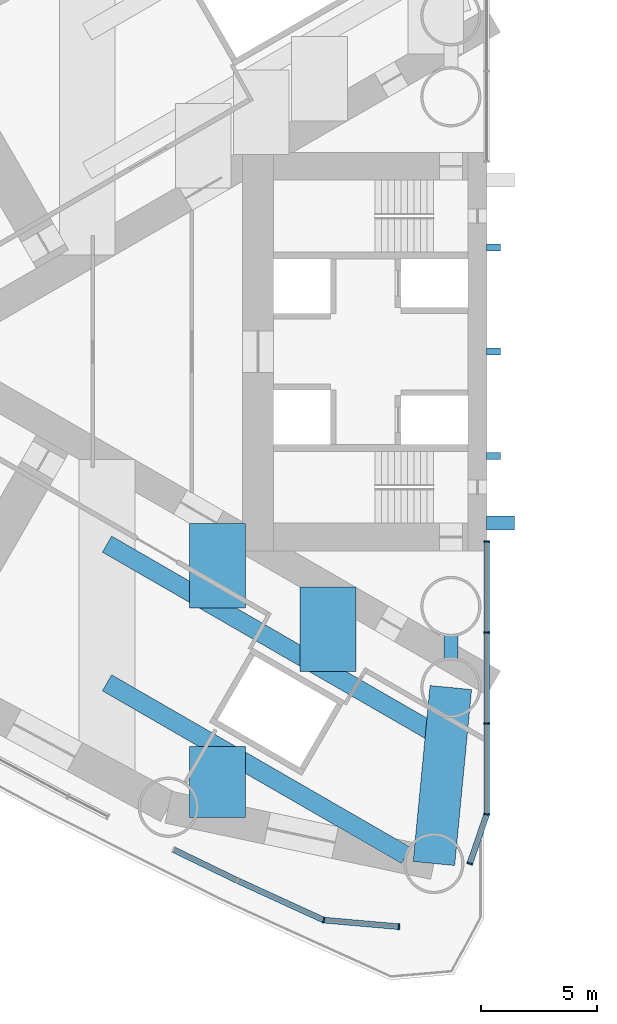
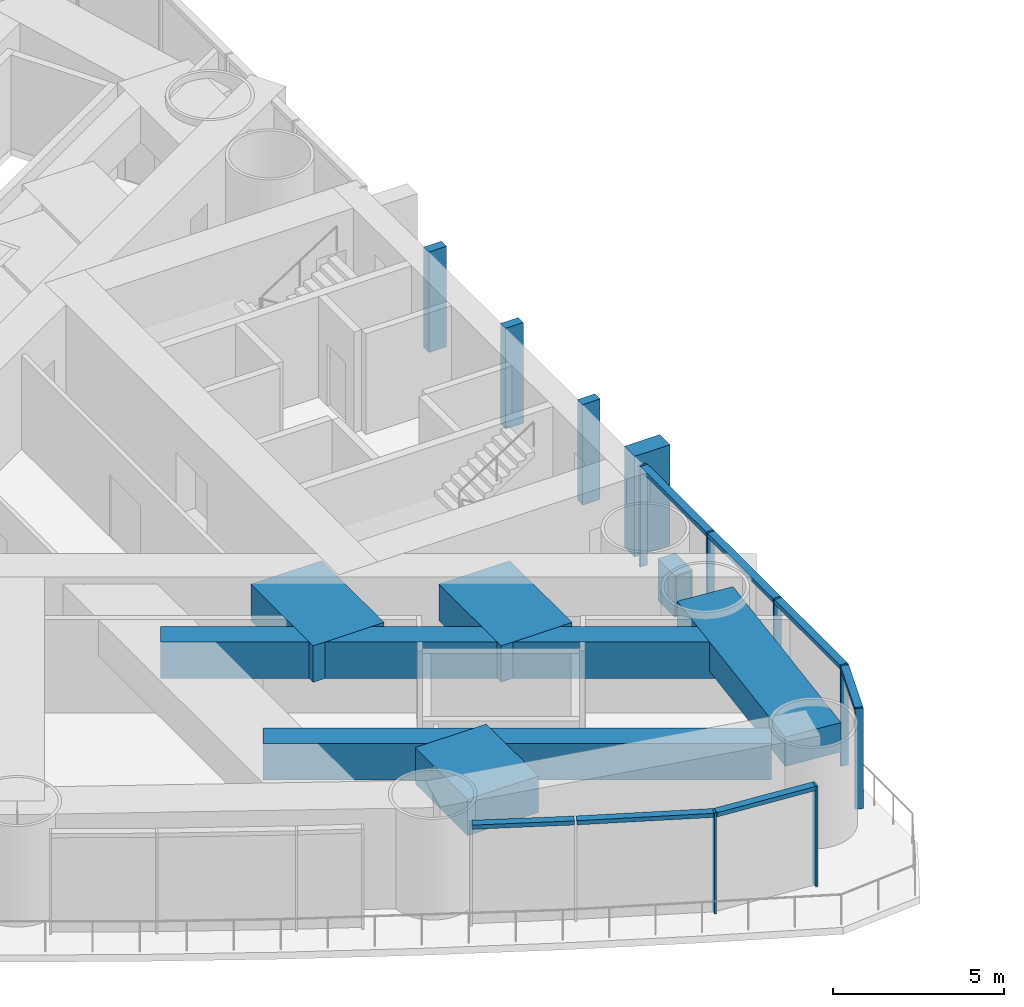
# One storey, part 3 of 19: 18 members, 7 beams, 2 elements without a shape of their own.
"""IFC4 building model written with IfcOpenShell, lengths in metres."""

from ifc_helpers import new_model, si_unit, direction, frame, origin, origin_2d, place, context, subcontext, project, spatial, rectangle, hollow_rectangle, extrude, material, material_profile, profile_set, type_object, element, aggregate, save


model = new_model("IFC4")

# Units and contexts
model_context = context("Model", 3, precision=1e-05, world=origin(), true_north=direction((0.0, 1.0)))
body_context = subcontext(model_context, "Body", "Model", "MODEL_VIEW")
ifc_project = project(units=[si_unit("LENGTHUNIT", "METRE"), si_unit("AREAUNIT", "SQUARE_METRE"), si_unit("VOLUMEUNIT", "CUBIC_METRE"), si_unit("PLANEANGLEUNIT", "RADIAN"), si_unit("MASSUNIT", "GRAM", prefix="KILO")], contexts=[model_context])

# Site, building, storey
site_placement = place(None, origin())
site = spatial("IfcSite", under=ifc_project, at=site_placement, CompositionType="ELEMENT")
building_placement = place(site_placement, origin())
building = spatial("IfcBuilding", under=site, at=building_placement, Name="Lancet Gate Hotel", CompositionType="ELEMENT")
storey_placement = place(building_placement, frame((0.0, 0.0, 87.0)))
storey = spatial("IfcBuildingStorey", under=building, at=storey_placement, Name="L22", CompositionType="ELEMENT", Elevation=87.0)

# Curtain wall, members
ifc_material_1 = material(Name="Aluminium curtain wall", Category="aluminium")
curtain_wall_type = type_object("IfcCurtainWallType", Name="Tower unitised curtain wall", PredefinedType="USERDEFINED", material=ifc_material_1)
curtain_wall_1_placement = place(storey_placement, origin())
curtain_wall_1 = element("IfcCurtainWall", 1, at=curtain_wall_1_placement, inside=storey, type_object=curtain_wall_type, Name="T1 L22 curtain wall 9", ObjectType="UNITISED CURTAIN WALL", PredefinedType="USERDEFINED")
ifc_material_2 = material(Name="Aluminium mullion", Category="aluminium")
ifc_material_profile_1 = material_profile(ifc_material_2, rectangle(XDim=0.06494140625, YDim=0.25, at=origin_2d()), Name="MULLION 65x250")
ifc_profile_set_1 = profile_set([ifc_material_profile_1], Name="Aluminium mullion")
member_type_1 = type_object("IfcMemberType", Name="Aluminium mullion 65x250", PredefinedType="MULLION", material=ifc_profile_set_1)
member_1_placement = place(storey_placement, frame((-34.5322265625, -24.53955078125, 0.0), z_axis=(0.0, 0.0, 1.0), x_axis=(0.961653318232, -0.27426792655, 0.0)))
member_1 = element("IfcMember", 2, at=member_1_placement, type_object=member_type_1, Name="T1 L22 curtain wall 9 mullion 3", PredefinedType="MULLION", context=body_context, shape_type="SweptSolid", body=[
    extrude(rectangle(XDim=0.06494140625, YDim=0.25, at=origin_2d()), origin(), (0.0, 0.0, 1.0), 3.60009765625),
])
member_2_placement = place(storey_placement, frame((-31.289306640625, -24.822265625, 0.0), z_axis=(0.0, 0.0, 1.0), x_axis=(0.996218779711, -0.086880049207, 0.0)))
member_2 = element("IfcMember", 3, at=member_2_placement, type_object=member_type_1, Name="T1 L22 curtain wall 9 mullion 4", PredefinedType="MULLION", context=body_context, shape_type="SweptSolid", body=[
    extrude(rectangle(XDim=0.06494140625, YDim=0.25, at=origin_2d()), origin(), (0.0, 0.0, 1.0), 3.60009765625),
])

curtain_wall_2_placement = place(storey_placement, origin())
curtain_wall_2 = element("IfcCurtainWall", 4, at=curtain_wall_2_placement, inside=storey, type_object=curtain_wall_type, Name="T1 L22 curtain wall 10", ObjectType="UNITISED CURTAIN WALL", PredefinedType="USERDEFINED")
member_3_placement = place(storey_placement, frame((-28.232177734375, -22.097900390625, 0.0), z_axis=(0.0, 0.0, 1.0), x_axis=(0.325515820766, 0.945536593914, 0.0)))
member_3 = element("IfcMember", 5, at=member_3_placement, type_object=member_type_1, Name="T1 L22 curtain wall 10 mullion 1", PredefinedType="MULLION", context=body_context, shape_type="SweptSolid", body=[
    extrude(rectangle(XDim=0.06494140625, YDim=0.25, at=origin_2d()), origin(), (0.0, 0.0, 1.0), 3.60009765625),
])
member_4_placement = place(storey_placement, frame((-27.5, -19.97119140625, 0.0), z_axis=(0.0, 0.0, 1.0), x_axis=(0.120134873065, 0.992757579812, 0.0)))
member_4 = element("IfcMember", 6, at=member_4_placement, type_object=member_type_1, Name="T1 L22 curtain wall 10 mullion 2", PredefinedType="MULLION", context=body_context, shape_type="SweptSolid", body=[
    extrude(rectangle(XDim=0.06494140625, YDim=0.25, at=origin_2d()), origin(), (0.0, 0.0, 1.0), 3.60009765625),
])
member_5_placement = place(storey_placement, frame((-27.5, -16.04736328125, 0.0), z_axis=(0.0, 0.0, 1.0), x_axis=(0.0, 1.0, 0.0)))
member_5 = element("IfcMember", 7, at=member_5_placement, type_object=member_type_1, Name="T1 L22 curtain wall 10 mullion 3", PredefinedType="MULLION", context=body_context, shape_type="SweptSolid", body=[
    extrude(rectangle(XDim=0.06494140625, YDim=0.25, at=origin_2d()), origin(), (0.0, 0.0, 1.0), 3.60009765625),
])
member_6_placement = place(storey_placement, frame((-27.5, -12.123779296875, 0.0), z_axis=(0.0, 0.0, 1.0), x_axis=(0.0, 1.0, 0.0)))
member_6 = element("IfcMember", 8, at=member_6_placement, type_object=member_type_1, Name="T1 L22 curtain wall 10 mullion 4", PredefinedType="MULLION", context=body_context, shape_type="SweptSolid", body=[
    extrude(rectangle(XDim=0.06494140625, YDim=0.25, at=origin_2d()), origin(), (0.0, 0.0, 1.0), 3.60009765625),
])
member_7_placement = place(storey_placement, frame((-27.5, -8.199951171875, 0.0), z_axis=(0.0, 0.0, 1.0), x_axis=(0.0, 1.0, 0.0)))
member_7 = element("IfcMember", 9, at=member_7_placement, type_object=member_type_1, Name="T1 L22 curtain wall 10 mullion 5", PredefinedType="MULLION", context=body_context, shape_type="SweptSolid", body=[
    extrude(rectangle(XDim=0.06494140625, YDim=0.25, at=origin_2d()), origin(), (0.0, 0.0, 1.0), 3.60009765625),
])

# Member
ifc_material_3 = material(Name="Aluminium transom", Category="aluminium")
ifc_material_profile_2 = material_profile(ifc_material_3, rectangle(XDim=0.25, YDim=0.14990234375, at=origin_2d()), Name="TRANSOM 250x150")
ifc_profile_set_2 = profile_set([ifc_material_profile_2], Name="Aluminium transom")
member_type_2 = type_object("IfcMemberType", Name="Aluminium transom 250x150", PredefinedType="USERDEFINED", material=ifc_profile_set_2)
member_8_placement = place(storey_placement, frame((-40.9833984375, -21.514404296875, 3.52490234375), z_axis=(0.900080025118, -0.435724624486, 0.0), x_axis=(0.435724624486, 0.900080025118, 0.0)))
member_8 = element("IfcMember", 10, at=member_8_placement, type_object=member_type_2, Name="T1 L22 curtain wall 9 transom 1", ObjectType="TRANSOM", PredefinedType="USERDEFINED", context=body_context, shape_type="SweptSolid", body=[
    extrude(rectangle(XDim=0.25, YDim=0.14990234375, at=origin_2d()), origin(), (0.0, 0.0, 1.0), 3.00146484375),
])

member_9_placement = place(storey_placement, frame((-38.222900390625, -22.849853515625, 3.52490234375), z_axis=(0.909252284196, -0.416245460857, 0.0), x_axis=(0.416245460857, 0.909252284196, 0.0)))
member_9 = element("IfcMember", 11, at=member_9_placement, type_object=member_type_2, Name="T1 L22 curtain wall 9 transom 2", ObjectType="TRANSOM", PredefinedType="USERDEFINED", context=body_context, shape_type="SweptSolid", body=[
    extrude(rectangle(XDim=0.25, YDim=0.14990234375, at=origin_2d()), origin(), (0.0, 0.0, 1.0), 4.026611328125),
])

member_10_placement = place(storey_placement, frame((-34.499755859375, -24.542236328125, 3.52490234375), z_axis=(0.996213545522, -0.086940046686, 0.0), x_axis=(0.086940046686, 0.996213545522, 0.0)))
member_10 = element("IfcMember", 12, at=member_10_placement, type_object=member_type_2, Name="T1 L22 curtain wall 9 transom 3", ObjectType="TRANSOM", PredefinedType="USERDEFINED", context=body_context, shape_type="SweptSolid", body=[
    extrude(rectangle(XDim=0.25, YDim=0.14990234375, at=origin_2d()), origin(), (0.0, 0.0, 1.0), 3.18994140625),
])

aggregate(curtain_wall_1, [member_1, member_2, member_8, member_9, member_10])

member_11_placement = place(storey_placement, frame((-28.2216796875, -22.067138671875, 3.52490234375), z_axis=(0.325566994576, 0.945518974978, 0.0), x_axis=(-0.945518974978, 0.325566994576, 0.0)))
member_11 = element("IfcMember", 13, at=member_11_placement, type_object=member_type_2, Name="T1 L22 curtain wall 10 transom 1", ObjectType="TRANSOM", PredefinedType="USERDEFINED", context=body_context, shape_type="SweptSolid", body=[
    extrude(rectangle(XDim=0.25, YDim=0.14990234375, at=origin_2d()), origin(), (0.0, 0.0, 1.0), 2.184326171875),
])

member_12_placement = place(storey_placement, frame((-27.5, -19.9384765625, 3.52490234375), z_axis=(0.0, 1.0, 0.0), x_axis=(-1.0, 0.0, 0.0)))
member_12 = element("IfcMember", 14, at=member_12_placement, type_object=member_type_2, Name="T1 L22 curtain wall 10 transom 2", ObjectType="TRANSOM", PredefinedType="USERDEFINED", context=body_context, shape_type="SweptSolid", body=[
    extrude(rectangle(XDim=0.25, YDim=0.14990234375, at=origin_2d()), origin(), (0.0, 0.0, 1.0), 3.858642578125),
])

member_13_placement = place(storey_placement, frame((-27.5, -16.014892578125, 3.52490234375), z_axis=(0.0, 1.0, 0.0), x_axis=(-1.0, 0.0, 0.0)))
member_13 = element("IfcMember", 15, at=member_13_placement, type_object=member_type_2, Name="T1 L22 curtain wall 10 transom 3", ObjectType="TRANSOM", PredefinedType="USERDEFINED", context=body_context, shape_type="SweptSolid", body=[
    extrude(rectangle(XDim=0.25, YDim=0.14990234375, at=origin_2d()), origin(), (0.0, 0.0, 1.0), 3.858642578125),
])

member_14_placement = place(storey_placement, frame((-27.5, -12.09130859375, 3.52490234375), z_axis=(0.0, 1.0, 0.0), x_axis=(-1.0, 0.0, 0.0)))
member_14 = element("IfcMember", 16, at=member_14_placement, type_object=member_type_2, Name="T1 L22 curtain wall 10 transom 4", ObjectType="TRANSOM", PredefinedType="USERDEFINED", context=body_context, shape_type="SweptSolid", body=[
    extrude(rectangle(XDim=0.25, YDim=0.14990234375, at=origin_2d()), origin(), (0.0, 0.0, 1.0), 3.85888671875),
])

aggregate(curtain_wall_2, [member_3, member_4, member_5, member_6, member_7, member_11, member_12, member_13, member_14])

# Beam
ifc_material_4 = material(Name="Concrete C50/60", Category="concrete")
ifc_material_profile_3 = material_profile(ifc_material_4, rectangle(XDim=1.800048828125, YDim=1.050048828125, at=origin_2d()), Name="RC 1800x1050")
ifc_profile_set_3 = profile_set([ifc_material_profile_3], Name="Concrete C50/60")
beam_type_1 = type_object("IfcBeamType", Name="Edge beam RC 1800x1050", PredefinedType="SPANDREL", material=ifc_profile_set_3)
beam_1_placement = place(storey_placement, frame((-29.050048828125, -14.5, 2.824951171875), z_axis=(-0.095802643786, -0.995400348324, 0.0), x_axis=(0.995400348324, -0.095802643786, 0.0)))
element("IfcBeam", 17, at=beam_1_placement, inside=storey, type_object=beam_type_1, Name="T1 edge beam EB1 L22", PredefinedType="SPANDREL", context=body_context, shape_type="SweptSolid", body=[
    extrude(rectangle(XDim=1.800048828125, YDim=1.050048828125, at=origin_2d()), origin(), (0.0, 0.0, 1.0), 7.6298828125),
])

# Members
ifc_material_5 = material(Name="Concrete C60/75", Category="concrete")
ifc_material_profile_4 = material_profile(ifc_material_5, rectangle(XDim=0.60009765625, YDim=1.199951171875, at=origin_2d()), Name="FIN 600x1200")
ifc_profile_set_4 = profile_set([ifc_material_profile_4], Name="Concrete C60/75")
member_type_3 = type_object("IfcMemberType", Name="Exposed concrete buttress pilaster 600x1200", PredefinedType="USERDEFINED", material=ifc_profile_set_4)
member_15_placement = place(storey_placement, frame((-26.909912109375, -7.39990234375, 0.0), z_axis=(0.0, 0.0, 1.0), x_axis=(0.0, 1.0, 0.0)))
element("IfcMember", 18, at=member_15_placement, inside=storey, type_object=member_type_3, Name="T1 buttress pilaster N L22", ObjectType="FIN", PredefinedType="USERDEFINED", context=body_context, shape_type="SweptSolid", body=[
    extrude(rectangle(XDim=0.60009765625, YDim=1.199951171875, at=origin_2d()), origin(), (0.0, 0.0, 1.0), 3.60009765625),
])
ifc_material_6 = material(Name="Concrete C60/75", Category="concrete")
ifc_material_profile_5 = material_profile(ifc_material_6, rectangle(XDim=0.300048828125, YDim=0.60009765625, at=origin_2d()), Name="FIN 300x600")
ifc_profile_set_5 = profile_set([ifc_material_profile_5], Name="Concrete C60/75")
member_type_4 = type_object("IfcMemberType", Name="Exposed concrete rib 300x600", PredefinedType="USERDEFINED", material=ifc_profile_set_5)
for number, where, z_axis, x_axis, name in (
    (19, (-27.2099609375, 4.5, 0.0), (0.0, 0.0, 1.0), (0.0, 1.0, 0.0), "T1 core rib 1 L22"),
    (20, (-27.2099609375, 0.0, 0.0), (0.0, 0.0, 1.0), (0.0, 1.0, 0.0), "T1 core rib 2 L22"),
    (21, (-27.2099609375, -4.5, 0.0), (0.0, 0.0, 1.0), (0.0, 1.0, 0.0), "T1 core rib 3 L22"),
):
    element("IfcMember", number, at=place(storey_placement, frame(where, z_axis=z_axis, x_axis=x_axis)), inside=storey, type_object=member_type_4, Name=name, ObjectType="FIN", PredefinedType="USERDEFINED", context=body_context, shape_type="SweptSolid", body=[
        extrude(rectangle(XDim=0.300048828125, YDim=0.60009765625, at=origin_2d()), origin(), (0.0, 0.0, 1.0), 3.60009765625),
    ])

# Beams
ifc_material_7 = material(Name="Concrete C50/60", Category="concrete")
ifc_material_profile_6 = material_profile(ifc_material_7, rectangle(XDim=2.39990234375, YDim=1.300048828125, at=origin_2d()), Name="RC 2400x1300")
ifc_profile_set_6 = profile_set([ifc_material_profile_6], Name="Concrete C50/60")
beam_type_2 = type_object("IfcBeamType", Name="Floor beam RC 2400x1300", PredefinedType="BEAM", material=ifc_profile_set_6)
beam_2_placement = place(storey_placement, frame((-34.353515625, -10.169921875, 2.699951171875), z_axis=(0.0, -1.0, 0.0), x_axis=(1.0, 0.0, 0.0)))
element("IfcBeam", 22, at=beam_2_placement, inside=storey, type_object=beam_type_2, Name="T1 floor beam F03NA L22", PredefinedType="BEAM", context=body_context, shape_type="SweptSolid", body=[
    extrude(rectangle(XDim=2.39990234375, YDim=1.300048828125, at=origin_2d()), origin(), (0.0, 0.0, 1.0), 3.645751953125),
])
beam_3_placement = place(storey_placement, frame((-39.122314453125, -7.41650390625, 2.699951171875), z_axis=(0.0, -1.0, 0.0), x_axis=(1.0, 0.0, 0.0)))
element("IfcBeam", 23, at=beam_3_placement, inside=storey, type_object=beam_type_2, Name="T1 floor beam F06NA L22", PredefinedType="BEAM", context=body_context, shape_type="SweptSolid", body=[
    extrude(rectangle(XDim=2.39990234375, YDim=1.300048828125, at=origin_2d()), origin(), (0.0, 0.0, 1.0), 3.64599609375),
])
beam_4_placement = place(storey_placement, frame((-39.122314453125, -17.0498046875, 2.699951171875), z_axis=(0.0, -1.0, 0.0), x_axis=(1.0, 0.0, 0.0)))
element("IfcBeam", 24, at=beam_4_placement, inside=storey, type_object=beam_type_2, Name="T1 floor beam F06NB L22", PredefinedType="BEAM", context=body_context, shape_type="SweptSolid", body=[
    extrude(rectangle(XDim=2.39990234375, YDim=1.300048828125, at=origin_2d()), origin(), (0.0, 0.0, 1.0), 3.065673828125),
])
ifc_material_8 = material(Name="Steel S460QL", Category="steel")
ifc_material_profile_7 = material_profile(ifc_material_8, hollow_rectangle(XDim=0.60009765625, YDim=1.5, WallThickness=0.050048828125, at=origin_2d()), Name="BOX 1500x600x50")
ifc_profile_set_7 = profile_set([ifc_material_profile_7], Name="Steel S460QL")
beam_type_3 = type_object("IfcBeamType", Name="Inner-face link beam BOX 1500x600x50", PredefinedType="BEAM", material=ifc_profile_set_7)
beam_5_placement = place(storey_placement, frame((-29.050048828125, -12.25, 2.60009765625), z_axis=(0.0, -1.0, 0.0), x_axis=(1.0, 0.0, 0.0)))
element("IfcBeam", 25, at=beam_5_placement, inside=storey, type_object=beam_type_3, Name="T1 inner-face link beam LK1 L22", PredefinedType="BEAM", context=body_context, shape_type="SweptSolid", body=[
    extrude(hollow_rectangle(XDim=0.60009765625, YDim=1.5, WallThickness=0.050048828125, at=origin_2d()), origin(), (0.0, 0.0, 1.0), 1.0),
])
ifc_material_9 = material(Name="Steel S460QL", Category="steel")
ifc_material_profile_8 = material_profile(ifc_material_9, hollow_rectangle(XDim=0.800048828125, YDim=1.300048828125, WallThickness=0.080078125, at=origin_2d()), Name="BOX 1300x800x80")
ifc_profile_set_8 = profile_set([ifc_material_profile_8], Name="Steel S460QL")
beam_type_4 = type_object("IfcBeamType", Name="Trimmer beam BOX 1300x800x80", PredefinedType="BEAM", material=ifc_profile_set_8)
beam_6_placement = place(storey_placement, frame((-29.58447265625, -16.56884765625, 2.699951171875), z_axis=(-0.866040141834, 0.49997447208, 0.0), x_axis=(-0.49997447208, -0.866040141834, 0.0)))
element("IfcBeam", 26, at=beam_6_placement, inside=storey, type_object=beam_type_4, Name="T1 trimmer beam TR01N L22", PredefinedType="BEAM", context=body_context, shape_type="SweptSolid", body=[
    extrude(hollow_rectangle(XDim=0.800048828125, YDim=1.300048828125, WallThickness=0.080078125, at=origin_2d()), origin(), (0.0, 0.0, 1.0), 16.519775390625),
])
beam_7_placement = place(storey_placement, frame((-30.982421875, -21.7490234375, 2.699951171875), z_axis=(-0.866042392862, 0.4999705729, 0.0), x_axis=(-0.4999705729, -0.866042392862, 0.0)))
element("IfcBeam", 27, at=beam_7_placement, inside=storey, type_object=beam_type_4, Name="T1 trimmer beam TR03N L22", PredefinedType="BEAM", context=body_context, shape_type="SweptSolid", body=[
    extrude(hollow_rectangle(XDim=0.800048828125, YDim=1.300048828125, WallThickness=0.080078125, at=origin_2d()), origin(), (0.0, 0.0, 1.0), 14.90576171875),
])

save(model, "model.ifc")
